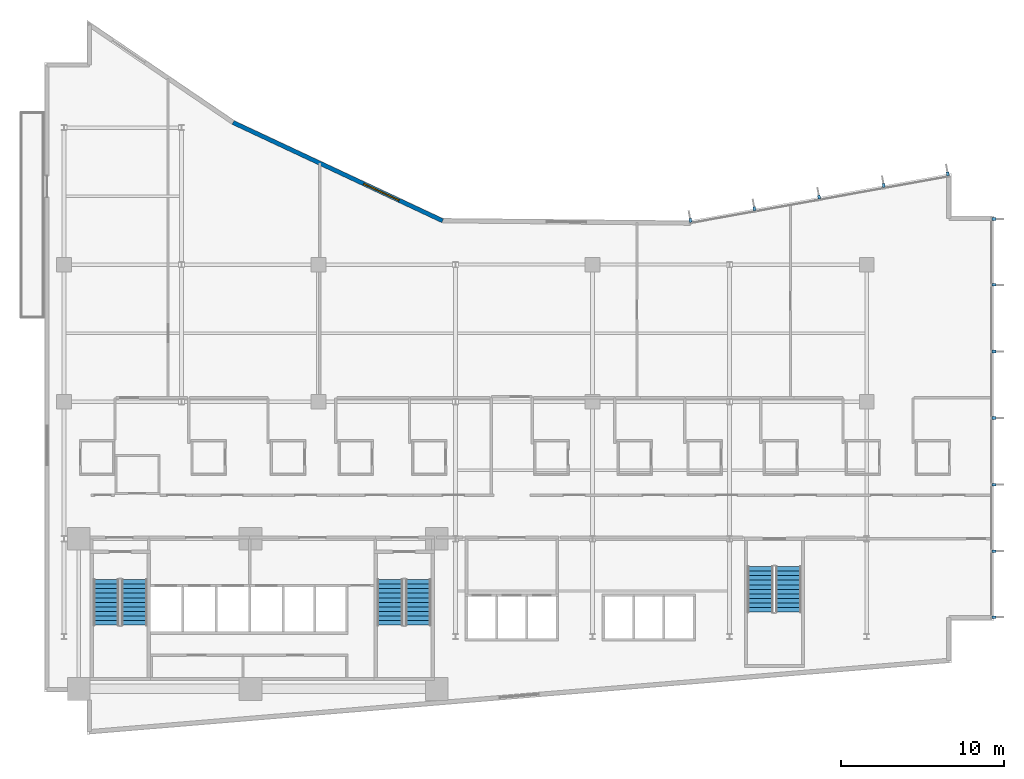
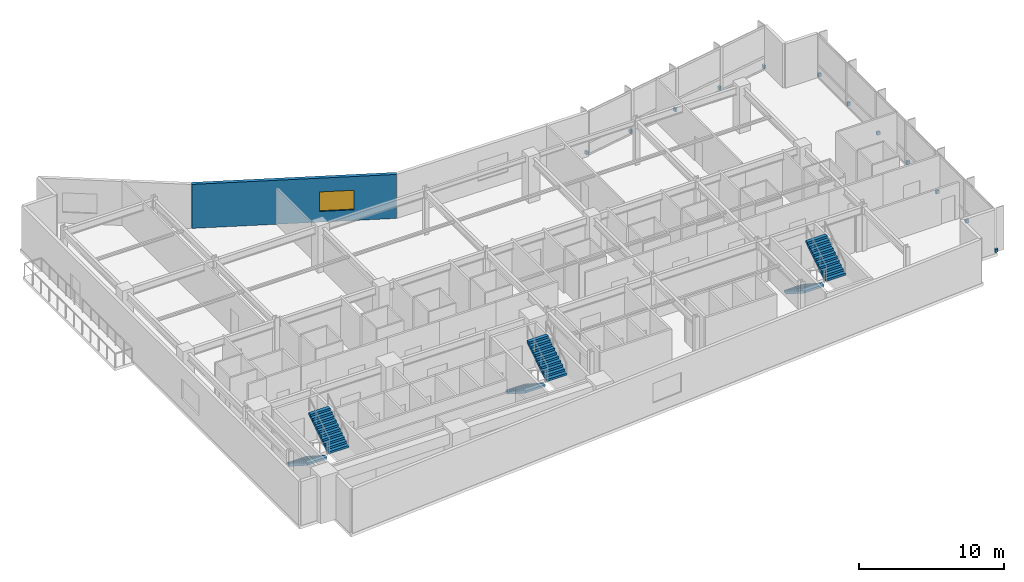
# One storey, part 16 of 21: 12 discrete accessories, 6 stair flights, 1 wall, 1 window, 1 opening, 3 elements without a shape of their own.
"""IFC4 building model written with IfcOpenShell, lengths in metres."""

from ifc_helpers import new_model, si_unit, direction, frame, frame_2d, origin, origin_2d, place, context, subcontext, project, spatial, polyline, rectangle, outline, extrude, material, layer, layer_set, type_object, element, fill, aggregate, save


model = new_model("IFC4")

# Units and contexts
model_context = context("Model", 3, precision=1e-05, world=origin(), true_north=direction((0.0, 1.0)))
body_context = subcontext(model_context, "Body", "Model", "MODEL_VIEW")
ifc_project = project(units=[si_unit("LENGTHUNIT", "METRE"), si_unit("AREAUNIT", "SQUARE_METRE"), si_unit("VOLUMEUNIT", "CUBIC_METRE"), si_unit("PLANEANGLEUNIT", "RADIAN"), si_unit("MASSUNIT", "GRAM", prefix="KILO")], contexts=[model_context])

# Site, building, storey
site_placement = place(None, origin())
site = spatial("IfcSite", under=ifc_project, at=site_placement, CompositionType="ELEMENT")
building_placement = place(site_placement, origin())
building = spatial("IfcBuilding", under=site, at=building_placement, Name="Varnakote Quay Hospital", CompositionType="ELEMENT")
storey_placement = place(building_placement, frame((0.0, 0.0, 34.35009765625)))
storey = spatial("IfcBuildingStorey", under=building, at=storey_placement, Name="L08", CompositionType="ELEMENT", Elevation=34.35009765625)

# Wall, opening, window
ifc_material_1 = material(Name="Precast concrete N50 (f'c 50 MPa)", Category="concrete")
ifc_layer_1 = layer(ifc_material_1, 0.260009765625)
ifc_layer_set_1 = layer_set([ifc_layer_1], Name="Precast concrete N50 (f'c 50 MPa)")
wall_type = type_object("IfcWallType", Name="WL-EXT-BRICK-260", PredefinedType="STANDARD", material=ifc_layer_set_1)
wall_placement = place(storey_placement, frame((24.40771484375, 31.4921875, 0.0), z_axis=(0.0, 0.0, 1.0), x_axis=(-0.905396522918, 0.424566998585, 0.0)))
wall = element("IfcWall", 1, at=wall_placement, inside=storey, type_object=wall_type, Name="L08 Brick-Faced Precast Exterior Wall", PredefinedType="STANDARD", context=body_context, shape_type="SweptSolid", body=[
    extrude(rectangle(XDim=14.189453125, YDim=0.260009765625, at=frame_2d((7.0947265625, 0.0))), origin(), (0.0, 0.0, 1.0), 3.7099609375),
])
opening_placement = place(wall_placement, frame((2.95263671875, 0.0, 0.89990234375)))
opening = element("IfcOpeningElement", 2, at=opening_placement, cuts=wall, Name="Opening WN-0048", PredefinedType="OPENING", context=body_context, shape_type="SweptSolid", body=[
    extrude(rectangle(XDim=2.39990234375, YDim=1.64990234375, at=frame_2d((1.199951171875, 0.824951171875))), frame((0.0, 0.139892578125, 0.0), z_axis=(0.0, -1.0, 0.0), x_axis=(1.0, 0.0, 0.0)), (0.0, 0.0, 1.0), 0.280029296875),
])
ifc_material_2 = material(Name="Double-glazed low-E solar glass", Category="glass")
window_type = type_object("IfcWindowType", Name="WIN-CLIN-2400x1650", PartitioningType="SINGLE_PANEL", PredefinedType="WINDOW", material=ifc_material_2)
window_placement = place(opening_placement, origin())
window = element("IfcWindow", 3, at=window_placement, inside=storey, type_object=window_type, Name="L08 Solar-Control Clinical Window", OverallHeight=1.64990234375, OverallWidth=2.39990234375, PartitioningType="SINGLE_PANEL", PredefinedType="WINDOW", context=body_context, shape_type="SweptSolid", body=[
    extrude(rectangle(XDim=2.39990234375, YDim=1.64990234375, at=frame_2d((1.199951171875, 0.824951171875))), frame((0.0, 0.030029296875, 0.0), z_axis=(0.0, -1.0, 0.0), x_axis=(1.0, 0.0, 0.0)), (0.0, 0.0, 1.0), 0.06005859375),
])
fill(opening, window)

# Stair, stair flights
ifc_material_3 = material(Name="Concrete N40 (f'c 40 MPa)", Category="concrete")
stair_type = type_object("IfcStairType", Name="STR-CORE-1580", PredefinedType="HALF_TURN_STAIR", material=ifc_material_3)
stair_1_placement = place(storey_placement, origin())
stair_1 = element("IfcStair", 4, at=stair_1_placement, inside=storey, type_object=stair_type, Name="L08 Fire-Isolated Exit Stair ST-01", PredefinedType="HALF_TURN_STAIR")
ifc_material_4 = material(Name="Concrete N40 (f'c 40 MPa)", Category="concrete")
ifc_layer_2 = layer(ifc_material_4, 0.159912109375)
ifc_layer_set_2 = layer_set([ifc_layer_2], Name="Concrete N40 (f'c 40 MPa)")
stair_flight_type = type_object("IfcStairFlightType", Name="FLT-CORE-1580", PredefinedType="STRAIGHT", material=ifc_layer_set_2)
stair_flight_1_placement = place(storey_placement, frame((3.7900390625, 9.5, 0.0), z_axis=(0.0, 0.0, 1.0), x_axis=(0.0, -1.0, 0.0)))
stair_flight_1 = element("IfcStairFlight", 5, at=stair_flight_1_placement, type_object=stair_flight_type, Name="ST-01 flight 1", NumberOfRisers=11, NumberOfTreads=10, PredefinedType="STRAIGHT", RiserHeight=0.179545455, TreadLength=0.28, context=body_context, shape_type="SweptSolid", body=[
    extrude(outline(polyline([(0.0, 0.0), (0.0, 0.179443359375), (0.280029296875, 0.179443359375), (0.280029296875, 0.359130859375), (0.56005859375, 0.359130859375), (0.56005859375, 0.53857421875), (0.840087890625, 0.53857421875), (0.840087890625, 0.71826171875), (1.1201171875, 0.71826171875), (1.1201171875, 0.897705078125), (1.39990234375, 0.897705078125), (1.39990234375, 1.077392578125), (1.679931640625, 1.077392578125), (1.679931640625, 1.2568359375), (1.9599609375, 1.2568359375), (1.9599609375, 1.436279296875), (2.239990234375, 1.436279296875), (2.239990234375, 1.615966796875), (2.52001953125, 1.615966796875), (2.52001953125, 1.79541015625), (2.800048828125, 1.79541015625), (2.800048828125, 1.97509765625), (2.800048828125, 1.60546875), (0.296142578125, 0.0), (0.0, 0.0)])), frame((0.0, 0.7900390625, 0.0), z_axis=(0.0, -1.0, 0.0), x_axis=(1.0, 0.0, 0.0)), (0.0, 0.0, 1.0), 1.580078125),
])
stair_flight_2_placement = place(storey_placement, frame((5.510009765625, 6.699951171875, 1.974853515625), z_axis=(0.0, 0.0, 1.0), x_axis=(0.0, 1.0, 0.0)))
stair_flight_2 = element("IfcStairFlight", 6, at=stair_flight_2_placement, type_object=stair_flight_type, Name="ST-01 flight 2", NumberOfRisers=11, NumberOfTreads=10, PredefinedType="STRAIGHT", RiserHeight=0.179545455, TreadLength=0.28, context=body_context, shape_type="SweptSolid", body=[
    extrude(outline(polyline([(0.0, 0.0), (0.0, 0.179443359375), (0.280029296875, 0.179443359375), (0.280029296875, 0.359130859375), (0.56005859375, 0.359130859375), (0.56005859375, 0.53857421875), (0.840087890625, 0.53857421875), (0.840087890625, 0.71826171875), (1.1201171875, 0.71826171875), (1.1201171875, 0.897705078125), (1.39990234375, 0.897705078125), (1.39990234375, 1.077392578125), (1.679931640625, 1.077392578125), (1.679931640625, 1.2568359375), (1.9599609375, 1.2568359375), (1.9599609375, 1.436279296875), (2.239990234375, 1.436279296875), (2.239990234375, 1.615966796875), (2.52001953125, 1.615966796875), (2.52001953125, 1.79541015625), (2.800048828125, 1.79541015625), (2.800048828125, 1.97509765625), (2.800048828125, 1.60546875), (0.296142578125, 0.0), (0.0, 0.0)])), frame((0.0, 0.7900390625, 0.0), z_axis=(0.0, -1.0, 0.0), x_axis=(1.0, 0.0, 0.0)), (0.0, 0.0, 1.0), 1.580078125),
])
aggregate(stair_1, [stair_flight_1, stair_flight_2])

stair_2_placement = place(storey_placement, origin())
stair_2 = element("IfcStair", 7, at=stair_2_placement, inside=storey, type_object=stair_type, Name="L08 Fire-Isolated Exit Stair ST-02", PredefinedType="HALF_TURN_STAIR")
stair_flight_3_placement = place(storey_placement, frame((21.18994140625, 9.5, 0.0), z_axis=(0.0, 0.0, 1.0), x_axis=(0.0, -1.0, 0.0)))
stair_flight_3 = element("IfcStairFlight", 8, at=stair_flight_3_placement, type_object=stair_flight_type, Name="ST-02 flight 1", NumberOfRisers=11, NumberOfTreads=10, PredefinedType="STRAIGHT", RiserHeight=0.179545455, TreadLength=0.28, context=body_context, shape_type="SweptSolid", body=[
    extrude(outline(polyline([(0.0, 0.0), (0.0, 0.179443359375), (0.280029296875, 0.179443359375), (0.280029296875, 0.359130859375), (0.56005859375, 0.359130859375), (0.56005859375, 0.53857421875), (0.840087890625, 0.53857421875), (0.840087890625, 0.71826171875), (1.1201171875, 0.71826171875), (1.1201171875, 0.897705078125), (1.39990234375, 0.897705078125), (1.39990234375, 1.077392578125), (1.679931640625, 1.077392578125), (1.679931640625, 1.2568359375), (1.9599609375, 1.2568359375), (1.9599609375, 1.436279296875), (2.239990234375, 1.436279296875), (2.239990234375, 1.615966796875), (2.52001953125, 1.615966796875), (2.52001953125, 1.79541015625), (2.800048828125, 1.79541015625), (2.800048828125, 1.97509765625), (2.800048828125, 1.60546875), (0.296142578125, 0.0), (0.0, 0.0)])), frame((0.0, 0.7900390625, 0.0), z_axis=(0.0, -1.0, 0.0), x_axis=(1.0, 0.0, 0.0)), (0.0, 0.0, 1.0), 1.580078125),
])
stair_flight_4_placement = place(storey_placement, frame((22.909912109375, 6.699951171875, 1.974853515625), z_axis=(0.0, 0.0, 1.0), x_axis=(0.0, 1.0, 0.0)))
stair_flight_4 = element("IfcStairFlight", 9, at=stair_flight_4_placement, type_object=stair_flight_type, Name="ST-02 flight 2", NumberOfRisers=11, NumberOfTreads=10, PredefinedType="STRAIGHT", RiserHeight=0.179545455, TreadLength=0.28, context=body_context, shape_type="SweptSolid", body=[
    extrude(outline(polyline([(0.0, 0.0), (0.0, 0.179443359375), (0.280029296875, 0.179443359375), (0.280029296875, 0.359130859375), (0.56005859375, 0.359130859375), (0.56005859375, 0.53857421875), (0.840087890625, 0.53857421875), (0.840087890625, 0.71826171875), (1.1201171875, 0.71826171875), (1.1201171875, 0.897705078125), (1.39990234375, 0.897705078125), (1.39990234375, 1.077392578125), (1.679931640625, 1.077392578125), (1.679931640625, 1.2568359375), (1.9599609375, 1.2568359375), (1.9599609375, 1.436279296875), (2.239990234375, 1.436279296875), (2.239990234375, 1.615966796875), (2.52001953125, 1.615966796875), (2.52001953125, 1.79541015625), (2.800048828125, 1.79541015625), (2.800048828125, 1.97509765625), (2.800048828125, 1.60546875), (0.296142578125, 0.0), (0.0, 0.0)])), frame((0.0, 0.7900390625, 0.0), z_axis=(0.0, -1.0, 0.0), x_axis=(1.0, 0.0, 0.0)), (0.0, 0.0, 1.0), 1.580078125),
])
aggregate(stair_2, [stair_flight_3, stair_flight_4])

stair_3_placement = place(storey_placement, origin())
stair_3 = element("IfcStair", 10, at=stair_3_placement, inside=storey, type_object=stair_type, Name="L08 Fire-Isolated Exit Stair ST-03", PredefinedType="HALF_TURN_STAIR")
stair_flight_5_placement = place(storey_placement, frame((43.889892578125, 10.300048828125, 0.0), z_axis=(0.0, 0.0, 1.0), x_axis=(0.0, -1.0, 0.0)))
stair_flight_5 = element("IfcStairFlight", 11, at=stair_flight_5_placement, type_object=stair_flight_type, Name="ST-03 flight 1", NumberOfRisers=11, NumberOfTreads=10, PredefinedType="STRAIGHT", RiserHeight=0.179545455, TreadLength=0.28, context=body_context, shape_type="SweptSolid", body=[
    extrude(outline(polyline([(0.0, 0.0), (0.0, 0.179443359375), (0.280029296875, 0.179443359375), (0.280029296875, 0.359130859375), (0.56005859375, 0.359130859375), (0.56005859375, 0.53857421875), (0.840087890625, 0.53857421875), (0.840087890625, 0.71826171875), (1.1201171875, 0.71826171875), (1.1201171875, 0.897705078125), (1.39990234375, 0.897705078125), (1.39990234375, 1.077392578125), (1.679931640625, 1.077392578125), (1.679931640625, 1.2568359375), (1.9599609375, 1.2568359375), (1.9599609375, 1.436279296875), (2.239990234375, 1.436279296875), (2.239990234375, 1.615966796875), (2.52001953125, 1.615966796875), (2.52001953125, 1.79541015625), (2.800048828125, 1.79541015625), (2.800048828125, 1.97509765625), (2.800048828125, 1.60546875), (0.296142578125, 0.0), (0.0, 0.0)])), frame((0.0, 0.7900390625, 0.0), z_axis=(0.0, -1.0, 0.0), x_axis=(1.0, 0.0, 0.0)), (0.0, 0.0, 1.0), 1.580078125),
])
stair_flight_6_placement = place(storey_placement, frame((45.610107421875, 7.5, 1.974853515625), z_axis=(0.0, 0.0, 1.0), x_axis=(0.0, 1.0, 0.0)))
stair_flight_6 = element("IfcStairFlight", 12, at=stair_flight_6_placement, type_object=stair_flight_type, Name="ST-03 flight 2", NumberOfRisers=11, NumberOfTreads=10, PredefinedType="STRAIGHT", RiserHeight=0.179545455, TreadLength=0.28, context=body_context, shape_type="SweptSolid", body=[
    extrude(outline(polyline([(0.0, 0.0), (0.0, 0.179443359375), (0.280029296875, 0.179443359375), (0.280029296875, 0.359130859375), (0.56005859375, 0.359130859375), (0.56005859375, 0.53857421875), (0.840087890625, 0.53857421875), (0.840087890625, 0.71826171875), (1.1201171875, 0.71826171875), (1.1201171875, 0.897705078125), (1.39990234375, 0.897705078125), (1.39990234375, 1.077392578125), (1.679931640625, 1.077392578125), (1.679931640625, 1.2568359375), (1.9599609375, 1.2568359375), (1.9599609375, 1.436279296875), (2.239990234375, 1.436279296875), (2.239990234375, 1.615966796875), (2.52001953125, 1.615966796875), (2.52001953125, 1.79541015625), (2.800048828125, 1.79541015625), (2.800048828125, 1.97509765625), (2.800048828125, 1.60546875), (0.296142578125, 0.0), (0.0, 0.0)])), frame((0.0, 0.7900390625, 0.0), z_axis=(0.0, -1.0, 0.0), x_axis=(1.0, 0.0, 0.0)), (0.0, 0.0, 1.0), 1.580078125),
])
aggregate(stair_3, [stair_flight_5, stair_flight_6])

# Discrete accessories
ifc_material_5 = material(Name="Anodised aluminium 6063-T6 Bronze", Category="aluminium")
discrete_accessory_type = type_object("IfcDiscreteAccessoryType", Name="ACC-FIN-BRACKET-180", PredefinedType="BRACKET", material=ifc_material_5)
for number, where, z_axis, x_axis, name in (
    (13, (58.2099609375, 7.197509765625, 0.0), (0.0, 0.0, 1.0), (0.0, 1.0, 0.0), "L08 Curtain Wall Fin Fixing Bracket"),
    (14, (58.2099609375, 11.239990234375, 0.0), (0.0, 0.0, 1.0), (0.0, 1.0, 0.0), "L08 Curtain Wall Fin Fixing Bracket"),
    (15, (58.2099609375, 15.320068359375, 0.0), (0.0, 0.0, 1.0), (0.0, 1.0, 0.0), "L08 Curtain Wall Fin Fixing Bracket"),
    (16, (58.2099609375, 19.39990234375, 0.0), (0.0, 0.0, 1.0), (0.0, 1.0, 0.0), "L08 Curtain Wall Fin Fixing Bracket"),
    (17, (58.2099609375, 23.47998046875, 0.0), (0.0, 0.0, 1.0), (0.0, 1.0, 0.0), "L08 Curtain Wall Fin Fixing Bracket"),
    (18, (58.2099609375, 27.56005859375, 0.0), (0.0, 0.0, 1.0), (0.0, 1.0, 0.0), "L08 Curtain Wall Fin Fixing Bracket"),
    (19, (58.2099609375, 31.6025390625, 0.0), (0.0, 0.0, 1.0), (0.0, 1.0, 0.0), "L08 Curtain Wall Fin Fixing Bracket"),
    (20, (55.372802734375, 34.369140625, 0.0), (0.0, 0.0, 1.0), (-0.984071739666, -0.177771795263, 0.0), "L08 Curtain Wall Fin Fixing Bracket"),
    (21, (51.447265625, 33.65966796875, 0.0), (0.0, 0.0, 1.0), (-0.984071739666, -0.177771795263, 0.0), "L08 Curtain Wall Fin Fixing Bracket"),
    (22, (47.484619140625, 32.943603515625, 0.0), (0.0, 0.0, 1.0), (-0.984071739666, -0.177771795263, 0.0), "L08 Curtain Wall Fin Fixing Bracket"),
    (23, (43.52197265625, 32.227294921875, 0.0), (0.0, 0.0, 1.0), (-0.984071739666, -0.177771795263, 0.0), "L08 Curtain Wall Fin Fixing Bracket"),
    (24, (39.59619140625, 31.517822265625, 0.0), (0.0, 0.0, 1.0), (-0.984071739666, -0.177771795263, 0.0), "L08 Curtain Wall Fin Fixing Bracket"),
):
    element("IfcDiscreteAccessory", number, at=place(storey_placement, frame(where, z_axis=z_axis, x_axis=x_axis)), inside=storey, type_object=discrete_accessory_type, Name=name, PredefinedType="BRACKET", context=body_context, shape_type="SweptSolid", body=[
        extrude(rectangle(XDim=0.159912109375, YDim=0.239990234375, at=origin_2d()), origin(), (0.0, 0.0, 1.0), 0.280029296875),
    ])

save(model, "model.ifc")
